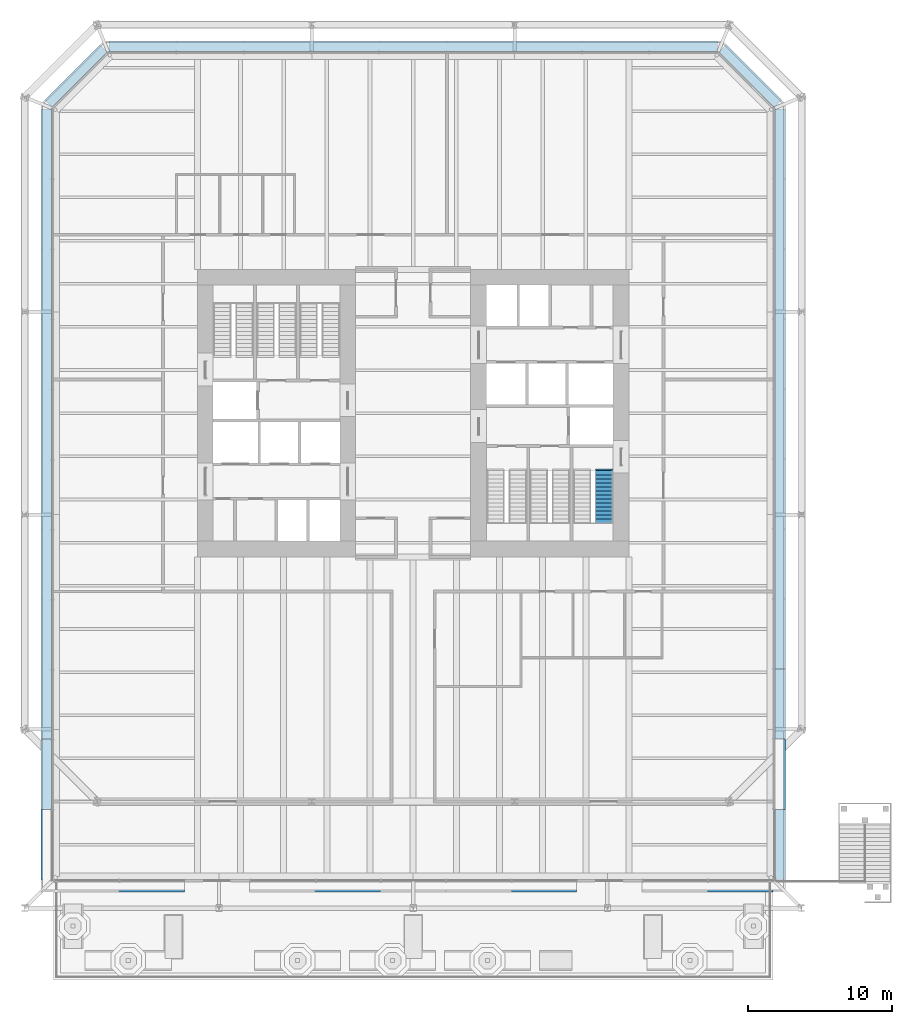
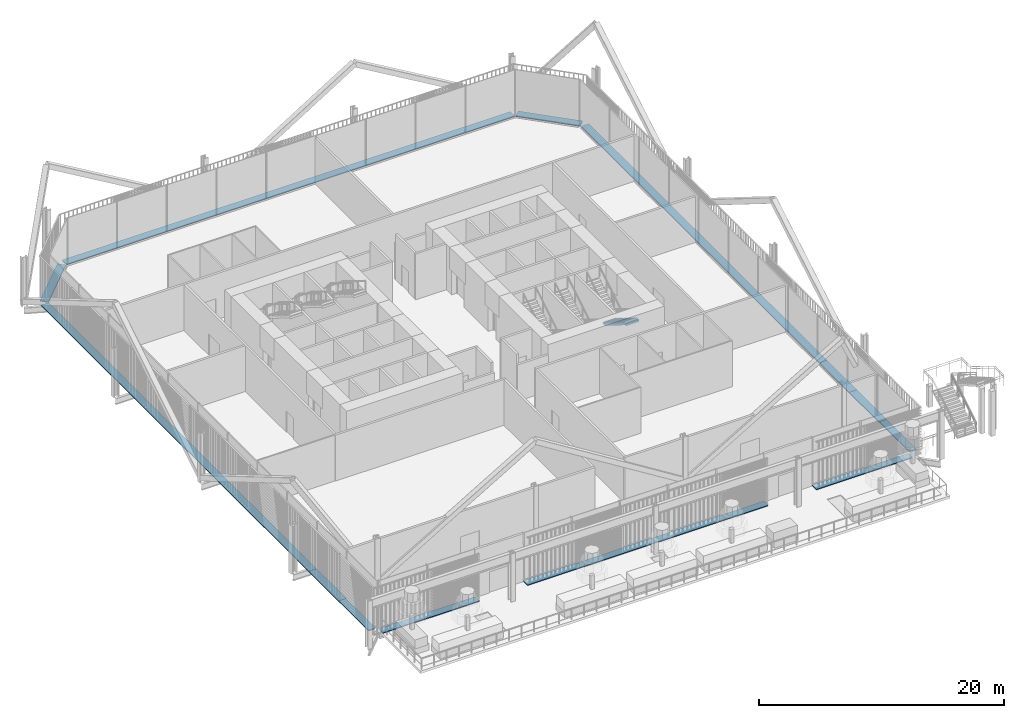
# One storey, part 23 of 26: 13 discrete accessories, 1 stair flight, 1 element without a shape of its own.
"""IFC4 building model written with IfcOpenShell, lengths in metres."""

from ifc_helpers import new_model, si_unit, direction, frame, origin, origin_2d, place, context, subcontext, project, spatial, polyline, rectangle, outline, extrude, material, type_object, element, aggregate, save


model = new_model("IFC4")

# Units and contexts
model_context = context("Model", 3, precision=1e-05, world=origin(), true_north=direction((0.0, 1.0)))
body_context = subcontext(model_context, "Body", "Model", "MODEL_VIEW")
ifc_project = project(units=[si_unit("LENGTHUNIT", "METRE"), si_unit("AREAUNIT", "SQUARE_METRE"), si_unit("VOLUMEUNIT", "CUBIC_METRE"), si_unit("PLANEANGLEUNIT", "RADIAN"), si_unit("MASSUNIT", "GRAM", prefix="KILO")], contexts=[model_context])

# Site, building, storey
site_placement = place(None, origin())
site = spatial("IfcSite", under=ifc_project, at=site_placement, CompositionType="ELEMENT")
building_placement = place(site_placement, origin())
building = spatial("IfcBuilding", under=site, at=building_placement, Name="Millrace Tower", CompositionType="ELEMENT")
storey_placement = place(building_placement, frame((0.0, 0.0, 11.300048828125)))
storey = spatial("IfcBuildingStorey", under=building, at=storey_placement, Name="L03", CompositionType="ELEMENT", Elevation=11.300048828125)

# Stair, stair flight
ifc_material_1 = material(Name="Concrete C35", Category="concrete")
stair_type = type_object("IfcStairType", Name="Exit stair", PredefinedType="HALF_TURN_STAIR", material=ifc_material_1)
stair_placement = place(storey_placement, origin())
stair = element("IfcStair", 1, at=stair_placement, inside=storey, type_object=stair_type, Name="Stair 1 E L03", PredefinedType="HALF_TURN_STAIR")
ifc_material_2 = material(Name="Concrete C35", Category="concrete")
stair_flight_type = type_object("IfcStairFlightType", Name="Exit stair flight", PredefinedType="STRAIGHT", material=ifc_material_2)
stair_flight_placement = place(storey_placement, frame((13.2900390625, -4.0, 0.0), z_axis=(0.0, 0.0, 1.0), x_axis=(0.0, -1.0, 0.0)))
stair_flight = element("IfcStairFlight", 2, at=stair_flight_placement, type_object=stair_flight_type, Name="ST12 flight 1", NumberOfRisers=14, NumberOfTreads=13, PredefinedType="STRAIGHT", RiserHeight=0.171428571, TreadLength=0.28, context=body_context, shape_type="SweptSolid", body=[
    extrude(outline(polyline([(-0.1201171875, -0.0400390625), (-0.1201171875, 0.0), (0.0, 0.0), (0.0, 0.17138671875), (0.280029296875, 0.17138671875), (0.280029296875, 0.3427734375), (0.56005859375, 0.3427734375), (0.56005859375, 0.514404296875), (0.840087890625, 0.514404296875), (0.840087890625, 0.685791015625), (1.1201171875, 0.685791015625), (1.1201171875, 0.857177734375), (1.39990234375, 0.857177734375), (1.39990234375, 1.028564453125), (1.679931640625, 1.028564453125), (1.679931640625, 1.199951171875), (1.9599609375, 1.199951171875), (1.9599609375, 1.371337890625), (2.239990234375, 1.371337890625), (2.239990234375, 1.54296875), (2.52001953125, 1.54296875), (2.52001953125, 1.71435546875), (2.800048828125, 1.71435546875), (2.800048828125, 1.8857421875), (3.080078125, 1.8857421875), (3.080078125, 2.05712890625), (3.360107421875, 2.05712890625), (3.360107421875, 2.228515625), (3.639892578125, 2.228515625), (3.639892578125, 2.24853515625), (3.760009765625, 2.24853515625), (3.760009765625, 2.052734375), (3.639892578125, 2.052734375), (0.287109375, 0.0), (0.287109375, -0.0400390625), (-0.1201171875, -0.0400390625)])), frame((0.0, 0.60986328125, 0.0), z_axis=(0.0, -1.0, 0.0), x_axis=(1.0, 0.0, 0.0)), (0.0, 0.0, 1.0), 1.219970703125),
])
aggregate(stair, [stair_flight])

# Discrete accessories
ifc_material_3 = material(Name="Stainless steel ASTM A240 type 316", Category="steel")
discrete_accessory_type = type_object("IfcDiscreteAccessoryType", Name="Thermally broken screen support rail", PredefinedType="BRACKET", material=ifc_material_3)
discrete_accessory_1_placement = place(storey_placement, frame((-20.45458984375, -32.93505859375, 0.0), z_axis=(0.0, 0.0, 1.0), x_axis=(1.0, 0.0, 0.0)))
element("IfcDiscreteAccessory", 3, at=discrete_accessory_1_placement, inside=storey, type_object=discrete_accessory_type, Name="Thermally broken screen support rail AW3-F01 L03 1", PredefinedType="BRACKET", context=body_context, shape_type="SweptSolid", body=[
    extrude(rectangle(XDim=9.0908203125, YDim=0.669921875, at=origin_2d()), origin(), (0.0, 0.0, 1.0), 0.10009765625),
])
discrete_accessory_2_placement = place(storey_placement, frame((0.0, -32.93505859375, 0.0), z_axis=(0.0, 0.0, 1.0), x_axis=(1.0, 0.0, 0.0)))
element("IfcDiscreteAccessory", 4, at=discrete_accessory_2_placement, inside=storey, type_object=discrete_accessory_type, Name="Thermally broken screen support rail AW3-F01 L03 2", PredefinedType="BRACKET", context=body_context, shape_type="SweptSolid", body=[
    extrude(rectangle(XDim=22.727294921875, YDim=0.669921875, at=origin_2d()), origin(), (0.0, 0.0, 1.0), 0.10009765625),
])
discrete_accessory_3_placement = place(storey_placement, frame((20.45458984375, -32.93505859375, 0.0), z_axis=(0.0, 0.0, 1.0), x_axis=(1.0, 0.0, 0.0)))
element("IfcDiscreteAccessory", 5, at=discrete_accessory_3_placement, inside=storey, type_object=discrete_accessory_type, Name="Thermally broken screen support rail AW3-F01 L03 3", PredefinedType="BRACKET", context=body_context, shape_type="SweptSolid", body=[
    extrude(rectangle(XDim=9.0908203125, YDim=0.669921875, at=origin_2d()), origin(), (0.0, 0.0, 1.0), 0.10009765625),
])
discrete_accessory_4_placement = place(storey_placement, frame((25.534912109375, -29.9658203125, 0.0), z_axis=(0.0, 0.0, 1.0), x_axis=(0.0, 1.0, 0.0)))
element("IfcDiscreteAccessory", 6, at=discrete_accessory_4_placement, inside=storey, type_object=discrete_accessory_type, Name="Thermally broken screen support rail AW3-F02 L03 1", PredefinedType="BRACKET", context=body_context, shape_type="SweptSolid", body=[
    extrude(rectangle(XDim=4.8681640625, YDim=0.669921875, at=origin_2d()), origin(), (0.0, 0.0, 1.0), 0.10009765625),
])
for number, where, z_axis, x_axis, name in (
    (7, (25.510009765625, -25.09765625, 0.0), (0.0, 0.0, 1.0), (0.0, 1.0, 0.0), "Thermally broken screen support rail AW3-F02 L03 2"),
    (8, (25.510009765625, -20.2294921875, 0.0), (0.0, 0.0, 1.0), (0.0, 1.0, 0.0), "Thermally broken screen support rail AW3-F02 L03 3"),
):
    element("IfcDiscreteAccessory", number, at=place(storey_placement, frame(where, z_axis=z_axis, x_axis=x_axis)), inside=storey, type_object=discrete_accessory_type, Name=name, PredefinedType="BRACKET", context=body_context, shape_type="SweptSolid", body=[
        extrude(rectangle(XDim=4.8681640625, YDim=0.719970703125, at=origin_2d()), origin(), (0.0, 0.0, 1.0), 0.10009765625),
    ])
discrete_accessory_5_placement = place(storey_placement, frame((25.510009765625, 1.67724609375, 0.0), z_axis=(0.0, 0.0, 1.0), x_axis=(0.0, 1.0, 0.0)))
element("IfcDiscreteAccessory", 9, at=discrete_accessory_5_placement, inside=storey, type_object=discrete_accessory_type, Name="Thermally broken screen support rail AW3-F02 L03 4", PredefinedType="BRACKET", context=body_context, shape_type="SweptSolid", body=[
    extrude(rectangle(XDim=38.945556640625, YDim=0.719970703125, at=origin_2d()), origin(), (0.0, 0.0, 1.0), 0.10009765625),
])
discrete_accessory_6_placement = place(storey_placement, frame((23.435546875, 23.435546875, 0.0), z_axis=(0.0, 0.0, 1.0), x_axis=(-0.707106781187, 0.707106781187, 0.0)))
element("IfcDiscreteAccessory", 10, at=discrete_accessory_6_placement, inside=storey, type_object=discrete_accessory_type, Name="Thermally broken screen support rail AW3-F03 L03 1", PredefinedType="BRACKET", context=body_context, shape_type="SweptSolid", body=[
    extrude(rectangle(XDim=5.44482421875, YDim=0.719970703125, at=origin_2d()), origin(), (0.0, 0.0, 1.0), 0.10009765625),
])
discrete_accessory_7_placement = place(storey_placement, frame((0.0, 25.510009765625, 0.0), z_axis=(0.0, 0.0, 1.0), x_axis=(-1.0, 0.0, 0.0)))
element("IfcDiscreteAccessory", 11, at=discrete_accessory_7_placement, inside=storey, type_object=discrete_accessory_type, Name="Thermally broken screen support rail AW3-F04 L03 1", PredefinedType="BRACKET", context=body_context, shape_type="SweptSolid", body=[
    extrude(rectangle(XDim=42.300048828125, YDim=0.719970703125, at=origin_2d()), origin(), (0.0, 0.0, 1.0), 0.10009765625),
])
discrete_accessory_8_placement = place(storey_placement, frame((-23.435546875, 23.435546875, 0.0), z_axis=(0.0, 0.0, 1.0), x_axis=(-0.707106781187, -0.707106781187, 0.0)))
element("IfcDiscreteAccessory", 12, at=discrete_accessory_8_placement, inside=storey, type_object=discrete_accessory_type, Name="Thermally broken screen support rail AW3-F05 L03 1", PredefinedType="BRACKET", context=body_context, shape_type="SweptSolid", body=[
    extrude(rectangle(XDim=5.44482421875, YDim=0.719970703125, at=origin_2d()), origin(), (0.0, 0.0, 1.0), 0.10009765625),
])
discrete_accessory_9_placement = place(storey_placement, frame((-25.510009765625, -0.7568359375, 0.0), z_axis=(0.0, 0.0, 1.0), x_axis=(0.0, -1.0, 0.0)))
element("IfcDiscreteAccessory", 13, at=discrete_accessory_9_placement, inside=storey, type_object=discrete_accessory_type, Name="Thermally broken screen support rail AW3-F06 L03 1", PredefinedType="BRACKET", context=body_context, shape_type="SweptSolid", body=[
    extrude(rectangle(XDim=43.813720703125, YDim=0.719970703125, at=origin_2d()), origin(), (0.0, 0.0, 1.0), 0.10009765625),
])
discrete_accessory_10_placement = place(storey_placement, frame((-25.510009765625, -25.09765625, 0.0), z_axis=(0.0, 0.0, 1.0), x_axis=(0.0, -1.0, 0.0)))
element("IfcDiscreteAccessory", 14, at=discrete_accessory_10_placement, inside=storey, type_object=discrete_accessory_type, Name="Thermally broken screen support rail AW3-F06 L03 2", PredefinedType="BRACKET", context=body_context, shape_type="SweptSolid", body=[
    extrude(rectangle(XDim=4.8681640625, YDim=0.719970703125, at=origin_2d()), origin(), (0.0, 0.0, 1.0), 0.10009765625),
])
discrete_accessory_11_placement = place(storey_placement, frame((-25.534912109375, -29.9658203125, 0.0), z_axis=(0.0, 0.0, 1.0), x_axis=(0.0, -1.0, 0.0)))
element("IfcDiscreteAccessory", 15, at=discrete_accessory_11_placement, inside=storey, type_object=discrete_accessory_type, Name="Thermally broken screen support rail AW3-F06 L03 3", PredefinedType="BRACKET", context=body_context, shape_type="SweptSolid", body=[
    extrude(rectangle(XDim=4.8681640625, YDim=0.669921875, at=origin_2d()), origin(), (0.0, 0.0, 1.0), 0.10009765625),
])

save(model, "model.ifc")
